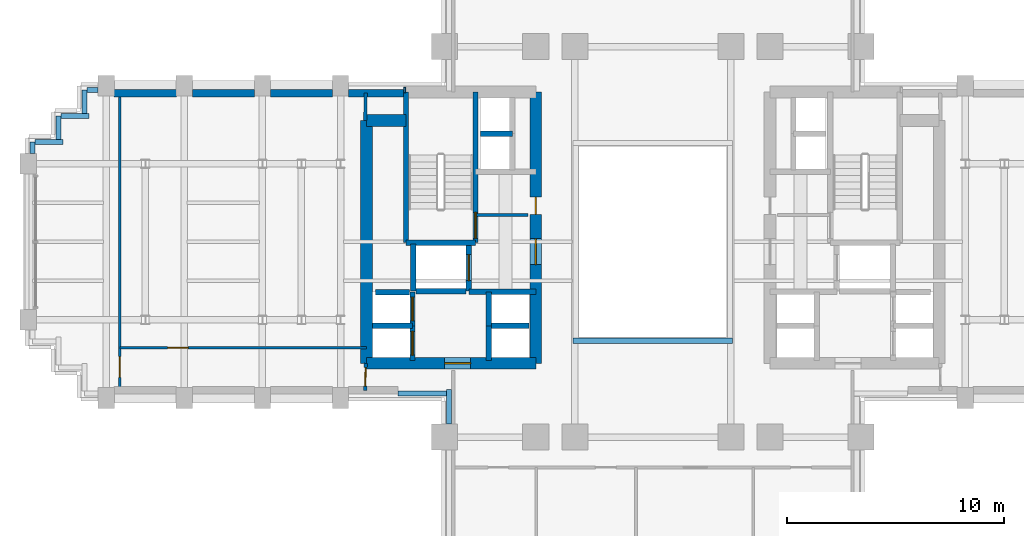
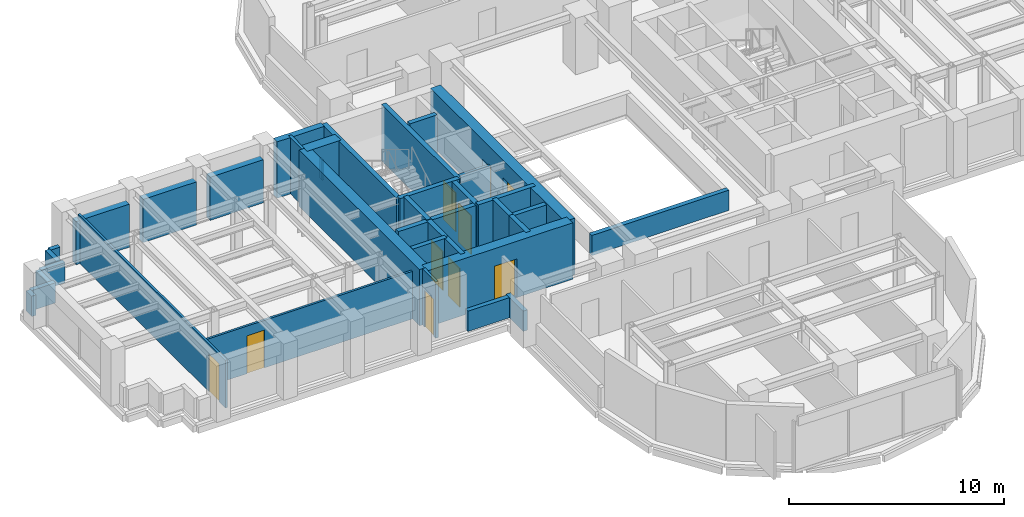
# One storey, part 10 of 16: 38 walls, 10 doors, 10 openings.
"""IFC4 building model written with IfcOpenShell, lengths in metres."""

from ifc_helpers import new_model, si_unit, direction, frame, frame_2d, origin, place, context, subcontext, project, spatial, rectangle, extrude, source, transform, mapped, material, layer, layer_set, type_object, element, fill, save


model = new_model("IFC4")

# Units and contexts
model_context = context("Model", 3, precision=1e-05, world=origin(), true_north=direction((0.0, 1.0)))
body_context = subcontext(model_context, "Body", "Model", "MODEL_VIEW")
ifc_project = project(units=[si_unit("LENGTHUNIT", "METRE"), si_unit("AREAUNIT", "SQUARE_METRE"), si_unit("VOLUMEUNIT", "CUBIC_METRE"), si_unit("PLANEANGLEUNIT", "RADIAN"), si_unit("MASSUNIT", "GRAM", prefix="KILO")], contexts=[model_context])

# Site, building, storey
site_placement = place(None, origin())
site = spatial("IfcSite", under=ifc_project, at=site_placement, CompositionType="ELEMENT")
building_placement = place(site_placement, origin())
building = spatial("IfcBuilding", under=site, at=building_placement, Name="Keilestroom Media Tower", CompositionType="ELEMENT")
storey_placement = place(building_placement, frame((0.0, 0.0, 74.800048828125)))
storey = spatial("IfcBuildingStorey", under=building, at=storey_placement, Name="L19", CompositionType="ELEMENT", Elevation=74.800048828125)

# Walls
ifc_material_1 = material(Name="Precast concrete C40/50", Category="concrete")
ifc_layer_1 = layer(ifc_material_1, 0.340087890625)
ifc_layer_set_1 = layer_set([ifc_layer_1], Name="Precast concrete C40/50")
wall_type_1 = type_object("IfcWallType", Name="Exterior-Masonry-Spandrel-Wall-340", PredefinedType="SOLIDWALL", material=ifc_layer_set_1)
for number, where, z_axis, x_axis, name in (
    (1, (-24.8330078125, 6.85009765625, 0.0), (0.0, 0.0, 1.0), (1.0, 0.0, 0.0), "L19 Flank Masonry Wall EWL-L19-NW-1"),
    (2, (-21.23291015625, 6.85009765625, 0.0), (0.0, 0.0, 1.0), (1.0, 0.0, 0.0), "L19 Flank Masonry Wall EWL-L19-NW-2"),
    (3, (-17.633056640625, 6.85009765625, 0.0), (0.0, 0.0, 1.0), (1.0, 0.0, 0.0), "L19 Flank Masonry Wall EWL-L19-NW-3"),
):
    element("IfcWall", number, at=place(storey_placement, frame(where, z_axis=z_axis, x_axis=x_axis)), inside=storey, type_object=wall_type_1, Name=name, PredefinedType="SOLIDWALL", context=body_context, shape_type="SweptSolid", body=[
        extrude(rectangle(XDim=2.865966796875, YDim=0.340087890625, at=frame_2d((1.43310546875, 0.0))), origin(), (0.0, 0.0, 1.0), 2.449951171875),
    ])
wall_1_placement = place(storey_placement, frame((-14.032958984375, 6.85009765625, 0.0), z_axis=(0.0, 0.0, 1.0), x_axis=(1.0, 0.0, 0.0)))
element("IfcWall", 4, at=wall_1_placement, inside=storey, type_object=wall_type_1, Name="L19 Flank Masonry Wall EWL-L19-NW-4", PredefinedType="SOLIDWALL", context=body_context, shape_type="SweptSolid", body=[
    extrude(rectangle(XDim=2.534912109375, YDim=0.340087890625, at=frame_2d((1.267578125, 0.0))), origin(), (0.0, 0.0, 1.0), 3.199951171875),
])

# Wall, opening, door
ifc_material_2 = material(Name="Gypsum Plasterboard & Steel Stud", Category="steel")
ifc_layer_2 = layer(ifc_material_2, 0.1201171875)
ifc_layer_set_2 = layer_set([ifc_layer_2], Name="Gypsum Plasterboard & Steel Stud")
wall_type_2 = type_object("IfcWallType", Name="Interior-Partition-Wall-120", PredefinedType="PARTITIONING", material=ifc_layer_set_2)
wall_2_placement = place(storey_placement, frame((-24.570068359375, -4.8798828125, 0.0), z_axis=(0.0, 0.0, 1.0), x_axis=(1.0, 0.0, 0.0)))
wall_2 = element("IfcWall", 5, at=wall_2_placement, inside=storey, type_object=wall_type_2, Name="L19 Interior Wall WP-L19-WA-CN", PredefinedType="PARTITIONING", context=body_context, shape_type="SweptSolid", body=[
    extrude(rectangle(XDim=11.3701171875, YDim=0.1201171875, at=frame_2d((5.68505859375, 0.0))), origin(), (0.0, 0.0, 1.0), 2.699951171875),
])
opening_1_placement = place(wall_2_placement, frame((2.199951171875, 0.0, 0.0)))
opening_1 = element("IfcOpeningElement", 6, at=opening_1_placement, cuts=wall_2, Name="Opening DI-03", PredefinedType="OPENING", context=body_context, shape_type="SweptSolid", body=[
    extrude(rectangle(XDim=0.949951171875, YDim=2.14990234375, at=frame_2d((0.47509765625, 1.074951171875))), frame((0.0, 0.070068359375, 0.0), z_axis=(0.0, -1.0, 0.0), x_axis=(1.0, 0.0, 0.0)), (0.0, 0.0, 1.0), 0.14013671875),
])
ifc_material_3 = material(Name="Lacquered European Oak Leaf", Category="wood")
door_type_1 = type_object("IfcDoorType", Name="Interior-Room-And-Suite-Door-DI-03", OperationType="NOTDEFINED", PredefinedType="DOOR", material=ifc_material_3)
shared_shape_1 = source(origin(), body_context, "Body", "SweptSolid", [
    extrude(rectangle(XDim=0.949951171875, YDim=2.14990234375, at=frame_2d((0.47509765625, 1.074951171875))), frame((0.0, 0.02490234375, 0.0), z_axis=(0.0, -1.0, 0.0), x_axis=(1.0, 0.0, 0.0)), (0.0, 0.0, 1.0), 0.050048828125),
])
door_1_placement = place(opening_1_placement, origin())
door_1 = element("IfcDoor", 7, at=door_1_placement, inside=storey, type_object=door_type_1, Name="L19 Interior Door DI-L19-DWA-RN", OperationType="SINGLE_SWING_LEFT", OverallHeight=2.14990234375, OverallWidth=0.949951171875, PredefinedType="DOOR", context=body_context, shape_type="MappedRepresentation", body=[
    mapped(shared_shape_1, transform((0.0, 0.0, 0.0), x_axis=(1.0, 0.0, 0.0), y_axis=(0.0, 1.0, 0.0), z_axis=(0.0, 0.0, 1.0), scale=1.0)),
])
fill(opening_1, door_1)

wall_3_placement = place(storey_placement, frame((-24.570068359375, -6.85009765625, 0.0), z_axis=(0.0, 0.0, 1.0), x_axis=(0.0, 1.0, 0.0)))
wall_3 = element("IfcWall", 8, at=wall_3_placement, inside=storey, type_object=wall_type_2, Name="L19 Interior Wall WP-L19-WA-CE", PredefinedType="PARTITIONING", context=body_context, shape_type="SweptSolid", body=[
    extrude(rectangle(XDim=13.7001953125, YDim=0.1201171875, at=frame_2d((6.85009765625, 0.0))), origin(), (0.0, 0.0, 1.0), 2.7099609375),
])
opening_2_placement = place(wall_3_placement, frame((0.60009765625, 0.0, 0.0)))
opening_2 = element("IfcOpeningElement", 9, at=opening_2_placement, cuts=wall_3, Name="Opening DI-03", PredefinedType="OPENING", context=body_context, shape_type="SweptSolid", body=[
    extrude(rectangle(XDim=0.949951171875, YDim=2.14990234375, at=frame_2d((0.47509765625, 1.074951171875))), frame((0.0, 0.070068359375, 0.0), z_axis=(0.0, -1.0, 0.0), x_axis=(1.0, 0.0, 0.0)), (0.0, 0.0, 1.0), 0.14013671875),
])
door_2_placement = place(opening_2_placement, origin())
door_2 = element("IfcDoor", 10, at=door_2_placement, inside=storey, type_object=door_type_1, Name="L19 Interior Door DI-L19-DWA-END", OperationType="SINGLE_SWING_RIGHT", OverallHeight=2.14990234375, OverallWidth=0.949951171875, PredefinedType="DOOR", context=body_context, shape_type="MappedRepresentation", body=[
    mapped(shared_shape_1, transform((0.0, 0.0, 0.0), x_axis=(1.0, 0.0, 0.0), y_axis=(0.0, 1.0, 0.0), z_axis=(0.0, 0.0, 1.0), scale=1.0)),
])
fill(opening_2, door_2)

# Walls
ifc_layer_3 = layer(ifc_material_2, 0.14990234375)
ifc_layer_set_3 = layer_set([ifc_layer_3], Name="Gypsum Plasterboard & Steel Stud")
wall_type_3 = type_object("IfcWallType", Name="Interior-Partition-Wall-150", PredefinedType="PARTITIONING", material=ifc_layer_set_3)
wall_4_placement = place(storey_placement, frame((-8.139892578125, 1.239990234375, 0.0), z_axis=(0.0, 0.0, 1.0), x_axis=(1.0, 0.0, 0.0)))
element("IfcWall", 11, at=wall_4_placement, inside=storey, type_object=wall_type_3, Name="L19 Interior Wall WP-L19-FFW-TOP", PredefinedType="PARTITIONING", context=body_context, shape_type="SweptSolid", body=[
    extrude(rectangle(XDim=2.389892578125, YDim=0.14990234375, at=frame_2d((1.19482421875, 0.0))), origin(), (0.0, 0.0, 1.0), 2.300048828125),
])
wall_5_placement = place(storey_placement, frame((-13.260009765625, 5.60009765625, 0.0), z_axis=(0.0, 0.0, 1.0), x_axis=(0.016013571389, 0.999871774545, 0.0)))
element("IfcWall", 12, at=wall_5_placement, inside=storey, type_object=wall_type_3, Name="L19 Interior Wall WP-L19-WA-ENTN", PredefinedType="PARTITIONING", context=body_context, shape_type="SweptSolid", body=[
    extrude(rectangle(XDim=1.250244140625, YDim=0.14990234375, at=frame_2d((0.625, 0.0))), origin(), (0.0, 0.0, 1.0), 3.199951171875),
])

# Wall, opening, door
wall_6_placement = place(storey_placement, frame((-13.260009765625, -6.85009765625, 0.0), z_axis=(0.0, 0.0, 1.0), x_axis=(0.016013571389, 0.999871774545, 0.0)))
wall_6 = element("IfcWall", 13, at=wall_6_placement, inside=storey, type_object=wall_type_3, Name="L19 Interior Wall WP-L19-WA-ENTS", PredefinedType="PARTITIONING", context=body_context, shape_type="SweptSolid", body=[
    extrude(rectangle(XDim=1.250244140625, YDim=0.14990234375, at=frame_2d((0.625, 0.0))), origin(), (0.0, 0.0, 1.0), 3.199951171875),
])
opening_3_placement = place(wall_6_placement, frame((0.199951171875, 0.0, 0.0)))
opening_3 = element("IfcOpeningElement", 14, at=opening_3_placement, cuts=wall_6, Name="Opening DI-05", PredefinedType="OPENING", context=body_context, shape_type="SweptSolid", body=[
    extrude(rectangle(XDim=0.85009765625, YDim=2.10009765625, at=frame_2d((0.425048828125, 1.050048828125))), frame((0.0, 0.0849609375, 0.0), z_axis=(0.0, -1.0, 0.0), x_axis=(1.0, 0.0, 0.0)), (0.0, 0.0, 1.0), 0.169921875),
])
ifc_material_4 = material(Name="Moisture-Resistant Oak Leaf", Category="wood")
door_type_2 = type_object("IfcDoorType", Name="Interior-En-Suite-And-Cupboard-Door-DI-05", OperationType="NOTDEFINED", PredefinedType="DOOR", material=ifc_material_4)
shared_shape_2 = source(origin(), body_context, "Body", "SweptSolid", [
    extrude(rectangle(XDim=0.85009765625, YDim=2.10009765625, at=frame_2d((0.425048828125, 1.050048828125))), frame((0.0, 0.02490234375, 0.0), z_axis=(0.0, -1.0, 0.0), x_axis=(1.0, 0.0, 0.0)), (0.0, 0.0, 1.0), 0.050048828125),
])
door_3_placement = place(opening_3_placement, origin())
door_3 = element("IfcDoor", 15, at=door_3_placement, inside=storey, type_object=door_type_2, Name="L19 Interior Door DI-L19-DWA-ENTS", OperationType="SINGLE_SWING_LEFT", OverallHeight=2.10009765625, OverallWidth=0.85009765625, PredefinedType="DOOR", context=body_context, shape_type="MappedRepresentation", body=[
    mapped(shared_shape_2, transform((0.0, 0.0, 0.0), x_axis=(1.0, 0.0, 0.0), y_axis=(0.0, 1.0, 0.0), z_axis=(0.0, 0.0, 1.0), scale=1.0)),
])
fill(opening_3, door_3)

# Wall
ifc_material_5 = material(Name="Concrete C70/85", Category="concrete")
ifc_layer_4 = layer(ifc_material_5, 0.550048828125)
ifc_layer_set_4 = layer_set([ifc_layer_4], Name="Concrete C70/85")
wall_type_4 = type_object("IfcWallType", Name="Reinforced-Concrete-Core-Shear-Wall-550", PredefinedType="SHEAR", material=ifc_layer_set_4)
wall_7_placement = place(storey_placement, frame((-13.199951171875, -5.60009765625, 0.0), z_axis=(0.0, 0.0, 1.0), x_axis=(0.0, 1.0, 0.0)))
element("IfcWall", 16, at=wall_7_placement, inside=storey, type_object=wall_type_4, Name="L19 Core Shear Wall WL-L19-CORE-W-OUT", PredefinedType="SHEAR", context=body_context, shape_type="SweptSolid", body=[
    extrude(rectangle(XDim=11.2001953125, YDim=0.550048828125, at=frame_2d((5.60009765625, 0.0))), origin(), (0.0, 0.0, 1.0), 3.199951171875),
])

# Wall, openings, doors
wall_8_placement = place(storey_placement, frame((-5.39990234375, -5.60009765625, 0.0), z_axis=(0.0, 0.0, 1.0), x_axis=(0.0, 1.0, 0.0)))
wall_8 = element("IfcWall", 17, at=wall_8_placement, inside=storey, type_object=wall_type_4, Name="L19 Core Shear Wall WL-L19-CORE-W-IN", PredefinedType="SHEAR", context=body_context, shape_type="SweptSolid", body=[
    extrude(rectangle(XDim=12.5, YDim=0.550048828125, at=frame_2d((6.25, 0.0))), origin(), (0.0, 0.0, 1.0), 3.199951171875),
])
opening_4_placement = place(wall_8_placement, frame((4.550048828125, 0.0, 0.0)))
opening_4 = element("IfcOpeningElement", 18, at=opening_4_placement, cuts=wall_8, Name="Opening DI-02", PredefinedType="OPENING", context=body_context, shape_type="SweptSolid", body=[
    extrude(rectangle(XDim=1.199951171875, YDim=2.199951171875, at=frame_2d((0.60009765625, 1.10009765625))), frame((0.0, 0.28515625, 0.0), z_axis=(0.0, -1.0, 0.0), x_axis=(1.0, 0.0, 0.0)), (0.0, 0.0, 1.0), 0.570068359375),
])
opening_5_placement = place(wall_8_placement, frame((6.860107421875, 0.0, 0.0)))
opening_5 = element("IfcOpeningElement", 19, at=opening_5_placement, cuts=wall_8, Name="Opening DI-06", PredefinedType="OPENING", context=body_context, shape_type="SweptSolid", body=[
    extrude(rectangle(XDim=0.800048828125, YDim=2.10009765625, at=frame_2d((0.39990234375, 1.050048828125))), frame((0.0, 0.28515625, 0.0), z_axis=(0.0, -1.0, 0.0), x_axis=(1.0, 0.0, 0.0)), (0.0, 0.0, 1.0), 0.570068359375),
])
ifc_material_6 = material(Name="Powder-Coated Steel Fire Leaf", Category="steel")
door_type_3 = type_object("IfcDoorType", Name="Interior-Compartment-Fire-Door-DI-02", OperationType="NOTDEFINED", PredefinedType="DOOR", material=ifc_material_6)
shared_shape_3 = source(origin(), body_context, "Body", "SweptSolid", [
    extrude(rectangle(XDim=1.199951171875, YDim=2.199951171875, at=frame_2d((0.60009765625, 1.10009765625))), frame((0.0, 0.02490234375, 0.0), z_axis=(0.0, -1.0, 0.0), x_axis=(1.0, 0.0, 0.0)), (0.0, 0.0, 1.0), 0.050048828125),
])
door_4_placement = place(opening_4_placement, origin())
door_4 = element("IfcDoor", 20, at=door_4_placement, inside=storey, type_object=door_type_3, Name="L19 W Firefighting Lobby Door", OperationType="SINGLE_SWING_RIGHT", OverallHeight=2.199951171875, OverallWidth=1.199951171875, PredefinedType="DOOR", context=body_context, shape_type="MappedRepresentation", body=[
    mapped(shared_shape_3, transform((0.0, 0.0, 0.0), x_axis=(1.0, 0.0, 0.0), y_axis=(0.0, 1.0, 0.0), z_axis=(0.0, 0.0, 1.0), scale=1.0)),
])
fill(opening_4, door_4)
ifc_material_7 = material(Name="Powder-Coated Steel Service Leaf", Category="steel")
door_type_4 = type_object("IfcDoorType", Name="Interior-Riser-Access-Door-DI-06", OperationType="NOTDEFINED", PredefinedType="DOOR", material=ifc_material_7)
shared_shape_4 = source(origin(), body_context, "Body", "SweptSolid", [
    extrude(rectangle(XDim=0.800048828125, YDim=2.10009765625, at=frame_2d((0.39990234375, 1.050048828125))), frame((0.0, 0.02490234375, 0.0), z_axis=(0.0, -1.0, 0.0), x_axis=(1.0, 0.0, 0.0)), (0.0, 0.0, 1.0), 0.050048828125),
])
door_5_placement = place(opening_5_placement, origin())
door_5 = element("IfcDoor", 21, at=door_5_placement, inside=storey, type_object=door_type_4, Name="L19 West Core Switchroom Door", OperationType="SINGLE_SWING_LEFT", OverallHeight=2.10009765625, OverallWidth=0.800048828125, PredefinedType="DOOR", context=body_context, shape_type="MappedRepresentation", body=[
    mapped(shared_shape_4, transform((0.0, 0.0, 0.0), x_axis=(1.0, 0.0, 0.0), y_axis=(0.0, 1.0, 0.0), z_axis=(0.0, 0.0, 1.0), scale=1.0)),
])
fill(opening_5, door_5)

# Wall
wall_9_placement = place(storey_placement, frame((-13.199951171875, 5.60009765625, 0.0), z_axis=(0.0, 0.0, 1.0), x_axis=(1.0, 0.0, 0.0)))
element("IfcWall", 22, at=wall_9_placement, inside=storey, type_object=wall_type_4, Name="L19 Core Shear Wall WL-L19-CNW-N", PredefinedType="SHEAR", context=body_context, shape_type="SweptSolid", body=[
    extrude(rectangle(XDim=1.81884765625, YDim=0.550048828125, at=frame_2d((0.909423828125, 0.0))), origin(), (0.0, 0.0, 1.0), 3.199951171875),
])

# Wall, opening, door
wall_10_placement = place(storey_placement, frame((-13.199951171875, -5.60009765625, 0.0), z_axis=(0.0, 0.0, 1.0), x_axis=(1.0, 0.0, 0.0)))
wall_10 = element("IfcWall", 23, at=wall_10_placement, inside=storey, type_object=wall_type_4, Name="L19 Core Shear Wall WL-L19-CORE-W-S", PredefinedType="SHEAR", context=body_context, shape_type="SweptSolid", body=[
    extrude(rectangle(XDim=7.800048828125, YDim=0.550048828125, at=frame_2d((3.89990234375, 0.0))), origin(), (0.0, 0.0, 1.0), 3.199951171875),
])
opening_6_placement = place(wall_10_placement, frame((3.60009765625, 0.0, 0.0)))
opening_6 = element("IfcOpeningElement", 24, at=opening_6_placement, cuts=wall_10, Name="Opening DI-02", PredefinedType="OPENING", context=body_context, shape_type="SweptSolid", body=[
    extrude(rectangle(XDim=1.199951171875, YDim=2.199951171875, at=frame_2d((0.60009765625, 1.10009765625))), frame((0.0, 0.28515625, 0.0), z_axis=(0.0, -1.0, 0.0), x_axis=(1.0, 0.0, 0.0)), (0.0, 0.0, 1.0), 0.570068359375),
])
door_6_placement = place(opening_6_placement, origin())
door_6 = element("IfcDoor", 25, at=door_6_placement, inside=storey, type_object=door_type_3, Name="L19 W Passenger Lift Lobby Door", OperationType="SINGLE_SWING_LEFT", OverallHeight=2.199951171875, OverallWidth=1.199951171875, PredefinedType="DOOR", context=body_context, shape_type="MappedRepresentation", body=[
    mapped(shared_shape_3, transform((0.0, 0.0, 0.0), x_axis=(1.0, 0.0, 0.0), y_axis=(0.0, 1.0, 0.0), z_axis=(0.0, 0.0, 1.0), scale=1.0)),
])
fill(opening_6, door_6)

# Wall
ifc_material_8 = material(Name="Concrete C50/60", Category="concrete")
ifc_layer_5 = layer(ifc_material_8, 0.25)
ifc_layer_set_5 = layer_set([ifc_layer_5], Name="Concrete C50/60")
wall_type_5 = type_object("IfcWallType", Name="Reinforced-Concrete-Shaft-Wall-250", PredefinedType="SOLIDWALL", material=ifc_layer_set_5)
wall_11_placement = place(storey_placement, frame((-8.47998046875, -2.300048828125, 0.0), z_axis=(0.0, 0.0, 1.0), x_axis=(1.0, 0.0, 0.0)))
element("IfcWall", 26, at=wall_11_placement, inside=storey, type_object=wall_type_5, Name="L19 Core Shear Wall WL-L19-CORE-W-FFS", PredefinedType="SOLIDWALL", context=body_context, shape_type="SweptSolid", body=[
    extrude(rectangle(XDim=3.080078125, YDim=0.25, at=frame_2d((1.5400390625, 0.0))), origin(), (0.0, 0.0, 1.0), 3.199951171875),
])

# Wall, opening, door
wall_12_placement = place(storey_placement, frame((-8.178955078125, -0.041015625, 0.0), z_axis=(0.0, 0.0, 1.0), x_axis=(0.0, 1.0, 0.0)))
wall_12 = element("IfcWall", 27, at=wall_12_placement, inside=storey, type_object=wall_type_5, Name="L19 Core Shear Wall WL-L19-STW-W-NEAR", PredefinedType="SOLIDWALL", context=body_context, shape_type="SweptSolid", body=[
    extrude(rectangle(XDim=6.94091796875, YDim=0.25, at=frame_2d((3.470458984375, 0.0))), origin(), (0.0, 0.0, 1.0), 3.199951171875),
])
opening_7_placement = place(wall_12_placement, frame((0.199951171875, 0.0, 0.0)))
opening_7 = element("IfcOpeningElement", 28, at=opening_7_placement, cuts=wall_12, Name="Opening DI-01S", PredefinedType="OPENING", context=body_context, shape_type="SweptSolid", body=[
    extrude(rectangle(XDim=1.199951171875, YDim=2.199951171875, at=frame_2d((0.60009765625, 1.10009765625))), frame((0.0, 0.135009765625, 0.0), z_axis=(0.0, -1.0, 0.0), x_axis=(1.0, 0.0, 0.0)), (0.0, 0.0, 1.0), 0.27001953125),
])
door_type_5 = type_object("IfcDoorType", Name="Interior-Stair-And-Core-Fire-Door-DI-01", OperationType="NOTDEFINED", PredefinedType="DOOR", material=ifc_material_6)
door_7_placement = place(opening_7_placement, origin())
door_7 = element("IfcDoor", 29, at=door_7_placement, inside=storey, type_object=door_type_5, Name="L19 Escape Stair ST-1 Fire Door", OperationType="SINGLE_SWING_LEFT", OverallHeight=2.199951171875, OverallWidth=1.199951171875, PredefinedType="DOOR", context=body_context, shape_type="MappedRepresentation", body=[
    mapped(shared_shape_3, transform((0.0, 0.0, 0.0), x_axis=(1.0, 0.0, 0.0), y_axis=(0.0, 1.0, 0.0), z_axis=(0.0, 0.0, 1.0), scale=1.0)),
])
fill(opening_7, door_7)

# Walls
wall_13_placement = place(storey_placement, frame((-11.381103515625, -0.041015625, 0.0), z_axis=(0.0, 0.0, 1.0), x_axis=(0.0, 1.0, 0.0)))
element("IfcWall", 30, at=wall_13_placement, inside=storey, type_object=wall_type_5, Name="L19 Core Shear Wall WL-L19-STW-W-FAR", PredefinedType="SOLIDWALL", context=body_context, shape_type="SweptSolid", body=[
    extrude(rectangle(XDim=6.94091796875, YDim=0.25, at=frame_2d((3.470458984375, 0.0))), origin(), (0.0, 0.0, 1.0), 3.199951171875),
])
wall_14_placement = place(storey_placement, frame((-11.381103515625, -0.041015625, 0.0), z_axis=(0.0, 0.0, 1.0), x_axis=(1.0, 0.0, 0.0)))
element("IfcWall", 31, at=wall_14_placement, inside=storey, type_object=wall_type_5, Name="L19 Core Shear Wall WL-L19-STW-W-S", PredefinedType="SOLIDWALL", context=body_context, shape_type="SweptSolid", body=[
    extrude(rectangle(XDim=3.2021484375, YDim=0.25, at=frame_2d((1.60107421875, 0.0))), origin(), (0.0, 0.0, 1.0), 3.199951171875),
])
wall_15_placement = place(storey_placement, frame((-11.050048828125, -2.280029296875, 0.0), z_axis=(0.0, 0.0, 1.0), x_axis=(0.0, 1.0, 0.0)))
element("IfcWall", 32, at=wall_15_placement, inside=storey, type_object=wall_type_5, Name="L19 Core Shear Wall WL-L19-LSH-FFL-1-W", PredefinedType="SOLIDWALL", context=body_context, shape_type="SweptSolid", body=[
    extrude(rectangle(XDim=2.179931640625, YDim=0.25, at=frame_2d((1.08984375, 0.0))), origin(), (0.0, 0.0, 1.0), 3.199951171875),
])

# Wall, opening, door
wall_16_placement = place(storey_placement, frame((-8.47998046875, -2.280029296875, 0.0), z_axis=(0.0, 0.0, 1.0), x_axis=(0.0, 1.0, 0.0)))
wall_16 = element("IfcWall", 33, at=wall_16_placement, inside=storey, type_object=wall_type_5, Name="L19 Core Shear Wall WL-L19-LSH-FFL-1-E", PredefinedType="SOLIDWALL", context=body_context, shape_type="SweptSolid", body=[
    extrude(rectangle(XDim=2.179931640625, YDim=0.25, at=frame_2d((1.08984375, 0.0))), origin(), (0.0, 0.0, 1.0), 3.199951171875),
])
opening_8_placement = place(wall_16_placement, frame((0.489990234375, 0.0, 0.0)))
opening_8 = element("IfcOpeningElement", 34, at=opening_8_placement, cuts=wall_16, Name="Opening LD-02", PredefinedType="OPENING", context=body_context, shape_type="SweptSolid", body=[
    extrude(rectangle(XDim=1.199951171875, YDim=2.199951171875, at=frame_2d((0.60009765625, 1.10009765625))), frame((0.0, 0.135009765625, 0.0), z_axis=(0.0, -1.0, 0.0), x_axis=(1.0, 0.0, 0.0)), (0.0, 0.0, 1.0), 0.27001953125),
])
ifc_material_9 = material(Name="Brushed Stainless Steel Sliding Leaf", Category="steel")
door_type_6 = type_object("IfcDoorType", Name="Lift-Landing-Sliding-Door-LD-02", OperationType="SLIDING_TO_RIGHT", PredefinedType="DOOR", material=ifc_material_9)
door_8_placement = place(opening_8_placement, origin())
door_8 = element("IfcDoor", 35, at=door_8_placement, inside=storey, type_object=door_type_6, Name="L19 Lift FFL-1 Landing Sliding Door", OperationType="SLIDING_TO_RIGHT", OverallHeight=2.199951171875, OverallWidth=1.199951171875, PredefinedType="DOOR", context=body_context, shape_type="MappedRepresentation", body=[
    mapped(shared_shape_3, transform((0.0, 0.0, 0.0), x_axis=(1.0, 0.0, 0.0), y_axis=(0.0, 1.0, 0.0), z_axis=(0.0, 0.0, 1.0), scale=1.0)),
])
fill(opening_8, door_8)

# Wall
wall_17_placement = place(storey_placement, frame((-10.9208984375, -2.280029296875, 0.0), z_axis=(0.0, 0.0, 1.0), x_axis=(1.0, 0.0, 0.0)))
element("IfcWall", 36, at=wall_17_placement, inside=storey, type_object=wall_type_5, Name="L19 Core Shear Wall WL-L19-LSH-FFL-1-S", PredefinedType="SOLIDWALL", context=body_context, shape_type="SweptSolid", body=[
    extrude(rectangle(XDim=2.31201171875, YDim=0.25, at=frame_2d((1.156005859375, 0.0))), origin(), (0.0, 0.0, 1.0), 3.199951171875),
])

# Wall, opening, door
wall_18_placement = place(storey_placement, frame((-11.080078125, -5.47998046875, 0.0), z_axis=(0.0, 0.0, 1.0), x_axis=(0.0, 1.0, 0.0)))
wall_18 = element("IfcWall", 37, at=wall_18_placement, inside=storey, type_object=wall_type_5, Name="L19 Core Shear Wall WL-L19-LSH-PL-L1-E", PredefinedType="SOLIDWALL", context=body_context, shape_type="SweptSolid", body=[
    extrude(rectangle(XDim=1.60009765625, YDim=0.25, at=frame_2d((0.800048828125, 0.0))), origin(), (0.0, 0.0, 1.0), 3.199951171875),
])
opening_9_placement = place(wall_18_placement, frame((0.25, 0.0, 0.0)))
opening_9 = element("IfcOpeningElement", 38, at=opening_9_placement, cuts=wall_18, Name="Opening LD-01", PredefinedType="OPENING", context=body_context, shape_type="SweptSolid", body=[
    extrude(rectangle(XDim=1.10009765625, YDim=2.199951171875, at=frame_2d((0.550048828125, 1.10009765625))), frame((0.0, 0.135009765625, 0.0), z_axis=(0.0, -1.0, 0.0), x_axis=(1.0, 0.0, 0.0)), (0.0, 0.0, 1.0), 0.27001953125),
])
door_type_7 = type_object("IfcDoorType", Name="Lift-Landing-Sliding-Door-LD-01", OperationType="SLIDING_TO_LEFT", PredefinedType="DOOR", material=ifc_material_9)
shared_shape_5 = source(origin(), body_context, "Body", "SweptSolid", [
    extrude(rectangle(XDim=1.10009765625, YDim=2.199951171875, at=frame_2d((0.550048828125, 1.10009765625))), frame((0.0, 0.02490234375, 0.0), z_axis=(0.0, -1.0, 0.0), x_axis=(1.0, 0.0, 0.0)), (0.0, 0.0, 1.0), 0.050048828125),
])
door_9_placement = place(opening_9_placement, origin())
door_9 = element("IfcDoor", 39, at=door_9_placement, inside=storey, type_object=door_type_7, Name="L19 Lift PL-L1 Landing Sliding Door", OperationType="SLIDING_TO_LEFT", OverallHeight=2.199951171875, OverallWidth=1.10009765625, PredefinedType="DOOR", context=body_context, shape_type="MappedRepresentation", body=[
    mapped(shared_shape_5, transform((0.0, 0.0, 0.0), x_axis=(1.0, 0.0, 0.0), y_axis=(0.0, 1.0, 0.0), z_axis=(0.0, 0.0, 1.0), scale=1.0)),
])
fill(opening_9, door_9)

# Wall
wall_19_placement = place(storey_placement, frame((-12.919921875, -3.8798828125, 0.0), z_axis=(0.0, 0.0, 1.0), x_axis=(1.0, 0.0, 0.0)))
element("IfcWall", 40, at=wall_19_placement, inside=storey, type_object=wall_type_5, Name="L19 Core Shear Wall WL-L19-LSH-PL-L1-N", PredefinedType="SOLIDWALL", context=body_context, shape_type="SweptSolid", body=[
    extrude(rectangle(XDim=1.83984375, YDim=0.25, at=frame_2d((0.919921875, 0.0))), origin(), (0.0, 0.0, 1.0), 3.199951171875),
])

# Wall, opening, door
wall_20_placement = place(storey_placement, frame((-11.080078125, -3.8798828125, 0.0), z_axis=(0.0, 0.0, 1.0), x_axis=(0.0, 1.0, 0.0)))
wall_20 = element("IfcWall", 41, at=wall_20_placement, inside=storey, type_object=wall_type_5, Name="L19 Core Shear Wall WL-L19-LSH-PL-L2-E", PredefinedType="SOLIDWALL", context=body_context, shape_type="SweptSolid", body=[
    extrude(rectangle(XDim=1.559814453125, YDim=0.25, at=frame_2d((0.77978515625, 0.0))), origin(), (0.0, 0.0, 1.0), 3.199951171875),
])
opening_10_placement = place(wall_20_placement, frame((0.22998046875, 0.0, 0.0)))
opening_10 = element("IfcOpeningElement", 42, at=opening_10_placement, cuts=wall_20, Name="Opening LD-01", PredefinedType="OPENING", context=body_context, shape_type="SweptSolid", body=[
    extrude(rectangle(XDim=1.10009765625, YDim=2.199951171875, at=frame_2d((0.550048828125, 1.10009765625))), frame((0.0, 0.135009765625, 0.0), z_axis=(0.0, -1.0, 0.0), x_axis=(1.0, 0.0, 0.0)), (0.0, 0.0, 1.0), 0.27001953125),
])
door_10_placement = place(opening_10_placement, origin())
door_10 = element("IfcDoor", 43, at=door_10_placement, inside=storey, type_object=door_type_7, Name="L19 Lift PL-L2 Landing Sliding Door", OperationType="SLIDING_TO_LEFT", OverallHeight=2.199951171875, OverallWidth=1.10009765625, PredefinedType="DOOR", context=body_context, shape_type="MappedRepresentation", body=[
    mapped(shared_shape_5, transform((0.0, 0.0, 0.0), x_axis=(1.0, 0.0, 0.0), y_axis=(0.0, 1.0, 0.0), z_axis=(0.0, 0.0, 1.0), scale=1.0)),
])
fill(opening_10, door_10)

# Walls
wall_21_placement = place(storey_placement, frame((-12.791015625, -2.320068359375, 0.0), z_axis=(0.0, 0.0, 1.0), x_axis=(1.0, 0.0, 0.0)))
element("IfcWall", 44, at=wall_21_placement, inside=storey, type_object=wall_type_5, Name="L19 Core Shear Wall WL-L19-LSH-PL-L2-N", PredefinedType="SOLIDWALL", context=body_context, shape_type="SweptSolid", body=[
    extrude(rectangle(XDim=1.58203125, YDim=0.25, at=frame_2d((0.791015625, 0.0))), origin(), (0.0, 0.0, 1.0), 3.199951171875),
])
wall_22_placement = place(storey_placement, frame((-7.56005859375, -5.47998046875, 0.0), z_axis=(0.0, 0.0, 1.0), x_axis=(0.0, 1.0, 0.0)))
element("IfcWall", 45, at=wall_22_placement, inside=storey, type_object=wall_type_5, Name="L19 Core Shear Wall WL-L19-LSH-PL-M1-W", PredefinedType="SOLIDWALL", context=body_context, shape_type="SweptSolid", body=[
    extrude(rectangle(XDim=1.60009765625, YDim=0.25, at=frame_2d((0.800048828125, 0.0))), origin(), (0.0, 0.0, 1.0), 3.199951171875),
])
wall_23_placement = place(storey_placement, frame((-7.56005859375, -3.8798828125, 0.0), z_axis=(0.0, 0.0, 1.0), x_axis=(1.0, 0.0, 0.0)))
element("IfcWall", 46, at=wall_23_placement, inside=storey, type_object=wall_type_5, Name="L19 Core Shear Wall WL-L19-LSH-PL-M1-N", PredefinedType="SOLIDWALL", context=body_context, shape_type="SweptSolid", body=[
    extrude(rectangle(XDim=1.840087890625, YDim=0.25, at=frame_2d((0.919921875, 0.0))), origin(), (0.0, 0.0, 1.0), 3.199951171875),
])
wall_24_placement = place(storey_placement, frame((-7.56005859375, -3.8798828125, 0.0), z_axis=(0.0, 0.0, 1.0), x_axis=(0.0, 1.0, 0.0)))
element("IfcWall", 47, at=wall_24_placement, inside=storey, type_object=wall_type_5, Name="L19 Core Shear Wall WL-L19-LSH-PL-M2-W", PredefinedType="SOLIDWALL", context=body_context, shape_type="SweptSolid", body=[
    extrude(rectangle(XDim=1.559814453125, YDim=0.25, at=frame_2d((0.77978515625, 0.0))), origin(), (0.0, 0.0, 1.0), 3.199951171875),
])
wall_25_placement = place(storey_placement, frame((-7.949951171875, 4.97998046875, 0.0), z_axis=(0.0, 0.0, 1.0), x_axis=(1.0, 0.0, 0.0)))
element("IfcWall", 48, at=wall_25_placement, inside=storey, type_object=wall_type_5, Name="L19 Core Shear Wall WL-L19-LSH-PL-H1-N", PredefinedType="SOLIDWALL", context=body_context, shape_type="SweptSolid", body=[
    extrude(rectangle(XDim=1.469970703125, YDim=0.25, at=frame_2d((0.73486328125, 0.0))), origin(), (0.0, 0.0, 1.0), 3.199951171875),
])
ifc_layer_6 = layer(ifc_material_1, 0.239990234375)
ifc_layer_set_6 = layer_set([ifc_layer_6], Name="Precast concrete C40/50")
wall_type_6 = type_object("IfcWallType", Name="Roof-And-Terrace-Parapet-Wall-240", PredefinedType="PARAPET", material=ifc_layer_set_6)
wall_26_placement = place(storey_placement, frame((-9.39990234375, -8.39697265625, 0.0), z_axis=(0.0, 0.0, 1.0), x_axis=(0.0, 1.0, 0.0)))
element("IfcWall", 49, at=wall_26_placement, inside=storey, type_object=wall_type_6, Name="L19 Perimeter Edge Parapet Wall 11", PredefinedType="PARAPET", context=body_context, shape_type="SweptSolid", body=[
    extrude(rectangle(XDim=1.596923828125, YDim=0.239990234375, at=frame_2d((0.79833984375, 0.0))), origin(), (0.0, 0.0, 1.0), 1.14990234375),
])
wall_27_placement = place(storey_placement, frame((-9.52294921875, -7.0, 0.0), z_axis=(0.0, 0.0, 1.0), x_axis=(-1.0, 0.0, 0.0)))
element("IfcWall", 50, at=wall_27_placement, inside=storey, type_object=wall_type_6, Name="L19 Perimeter Edge Parapet Wall 12", PredefinedType="PARAPET", context=body_context, shape_type="SweptSolid", body=[
    extrude(rectangle(XDim=2.22412109375, YDim=0.239990234375, at=frame_2d((1.112060546875, 0.0))), origin(), (0.0, 0.0, 1.0), 1.14990234375),
])
wall_28_placement = place(storey_placement, frame((-28.60009765625, 4.077880859375, 0.0), z_axis=(0.0, 0.0, 1.0), x_axis=(0.0, 1.0, 0.0)))
element("IfcWall", 51, at=wall_28_placement, inside=storey, type_object=wall_type_6, Name="L19 Perimeter Edge Parapet Wall 19", PredefinedType="PARAPET", context=body_context, shape_type="SweptSolid", body=[
    extrude(rectangle(XDim=0.522216796875, YDim=0.239990234375, at=frame_2d((0.26123046875, 0.0))), origin(), (0.0, 0.0, 1.0), 1.14990234375),
])
wall_29_placement = place(storey_placement, frame((-28.47705078125, 4.60009765625, 0.0), z_axis=(0.0, 0.0, 1.0), x_axis=(1.0, 0.0, 0.0)))
element("IfcWall", 52, at=wall_29_placement, inside=storey, type_object=wall_type_6, Name="L19 Perimeter Edge Parapet Wall 20", PredefinedType="PARAPET", context=body_context, shape_type="SweptSolid", body=[
    extrude(rectangle(XDim=1.277099609375, YDim=0.239990234375, at=frame_2d((0.638671875, 0.0))), origin(), (0.0, 0.0, 1.0), 1.14990234375),
])
wall_30_placement = place(storey_placement, frame((-27.39990234375, 4.722900390625, 0.0), z_axis=(0.0, 0.0, 1.0), x_axis=(0.0, 1.0, 0.0)))
element("IfcWall", 53, at=wall_30_placement, inside=storey, type_object=wall_type_6, Name="L19 Perimeter Edge Parapet Wall 21", PredefinedType="PARAPET", context=body_context, shape_type="SweptSolid", body=[
    extrude(rectangle(XDim=1.0771484375, YDim=0.239990234375, at=frame_2d((0.53857421875, 0.0))), origin(), (0.0, 0.0, 1.0), 1.14990234375),
])
wall_31_placement = place(storey_placement, frame((-27.277099609375, 5.800048828125, 0.0), z_axis=(0.0, 0.0, 1.0), x_axis=(1.0, 0.0, 0.0)))
element("IfcWall", 54, at=wall_31_placement, inside=storey, type_object=wall_type_6, Name="L19 Perimeter Edge Parapet Wall 22", PredefinedType="PARAPET", context=body_context, shape_type="SweptSolid", body=[
    extrude(rectangle(XDim=1.277099609375, YDim=0.239990234375, at=frame_2d((0.638671875, 0.0))), origin(), (0.0, 0.0, 1.0), 1.14990234375),
])
wall_32_placement = place(storey_placement, frame((-26.199951171875, 5.923095703125, 0.0), z_axis=(0.0, 0.0, 1.0), x_axis=(0.0, 1.0, 0.0)))
element("IfcWall", 55, at=wall_32_placement, inside=storey, type_object=wall_type_6, Name="L19 Perimeter Edge Parapet Wall 23", PredefinedType="PARAPET", context=body_context, shape_type="SweptSolid", body=[
    extrude(rectangle(XDim=1.076904296875, YDim=0.239990234375, at=frame_2d((0.53857421875, 0.0))), origin(), (0.0, 0.0, 1.0), 1.14990234375),
])
wall_33_placement = place(storey_placement, frame((-26.076904296875, 7.0, 0.0), z_axis=(0.0, 0.0, 1.0), x_axis=(1.0, 0.0, 0.0)))
element("IfcWall", 56, at=wall_33_placement, inside=storey, type_object=wall_type_6, Name="L19 Perimeter Edge Parapet Wall 24", PredefinedType="PARAPET", context=body_context, shape_type="SweptSolid", body=[
    extrude(rectangle(XDim=0.4990234375, YDim=0.239990234375, at=frame_2d((0.24951171875, 0.0))), origin(), (0.0, 0.0, 1.0), 1.14990234375),
])
wall_34_placement = place(storey_placement, frame((-11.4951171875, 7.0, 0.0), z_axis=(0.0, 0.0, 1.0), x_axis=(1.0, 0.0, 0.0)))
element("IfcWall", 57, at=wall_34_placement, inside=storey, type_object=wall_type_6, Name="L19 Perimeter Edge Parapet Wall 25", PredefinedType="PARAPET", context=body_context, shape_type="SweptSolid", body=[
    extrude(rectangle(XDim=0.092041015625, YDim=0.239990234375, at=frame_2d((0.0458984375, 0.0))), origin(), (0.0, 0.0, 1.0), 1.14990234375),
])
wall_35_placement = place(storey_placement, frame((-3.679931640625, -4.56005859375, 0.0), z_axis=(0.0, 0.0, 1.0), x_axis=(1.0, 0.0, 0.0)))
element("IfcWall", 58, at=wall_35_placement, inside=storey, type_object=wall_type_6, Name="L19 Central Atrium Guard Parapet S", PredefinedType="PARAPET", context=body_context, shape_type="SweptSolid", body=[
    extrude(rectangle(XDim=7.35986328125, YDim=0.239990234375, at=frame_2d((3.679931640625, 0.0))), origin(), (0.0, 0.0, 1.0), 1.14990234375),
])

save(model, "model.ifc")
